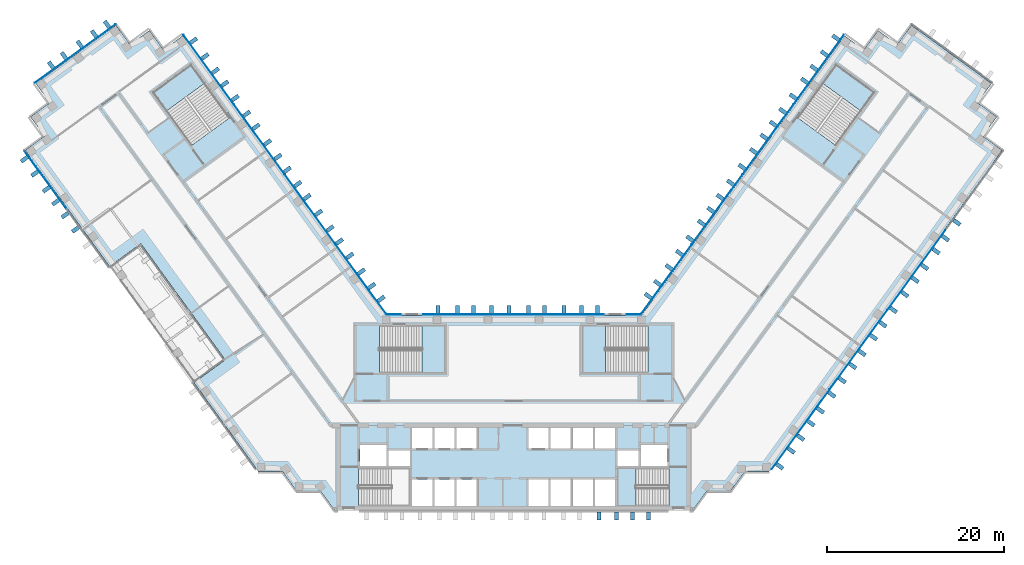
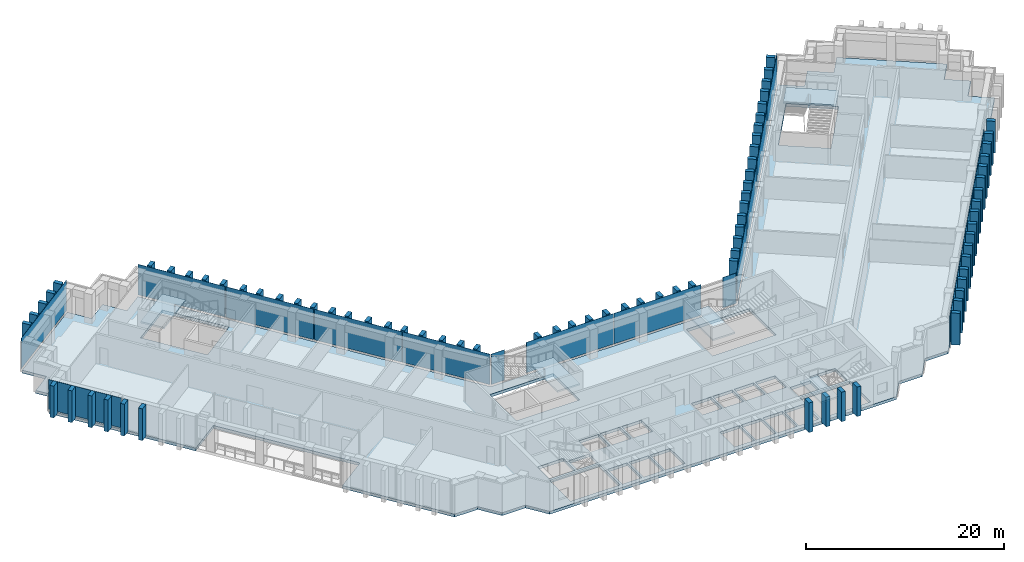
"""IFC4 building model written with IfcOpenShell, lengths in metres."""

from ifc_helpers import new_model, si_unit, direction, frame, origin, origin_2d, place, context, subcontext, project, spatial, polyline, rectangle, outline, extrude, material, layer, layer_set, type_object, element, aggregate, save


model = new_model("IFC4")

# Units and contexts
model_context = context("Model", 3, precision=1e-05, world=origin(), true_north=direction((0.0, 1.0)))
body_context = subcontext(model_context, "Body", "Model", "MODEL_VIEW")
ifc_project = project(units=[si_unit("LENGTHUNIT", "METRE"), si_unit("AREAUNIT", "SQUARE_METRE"), si_unit("VOLUMEUNIT", "CUBIC_METRE"), si_unit("PLANEANGLEUNIT", "RADIAN"), si_unit("MASSUNIT", "GRAM", prefix="KILO")], contexts=[model_context])

# Site, building, storey
site_placement = place(None, origin())
site = spatial("IfcSite", under=ifc_project, at=site_placement, CompositionType="ELEMENT")
building_placement = place(site_placement, origin())
building = spatial("IfcBuilding", under=site, at=building_placement, Name="Quipu Civic Tower", CompositionType="ELEMENT")
storey_1_placement = place(building_placement, frame((0.0, 0.0, 51.0)))
storey_1 = spatial("IfcBuildingStorey", under=building, at=storey_1_placement, Name="L11", CompositionType="ELEMENT", Elevation=51.0)

# Slab
ifc_material_1 = material(Name="Concrete C40/50", Category="concrete")
ifc_layer_1 = layer(ifc_material_1, 0.35009765625)
ifc_layer_set_1 = layer_set([ifc_layer_1], Name="Concrete C40/50")
slab_type_1 = type_object("IfcSlabType", Name="Floor slab 350 C40/50", PredefinedType="FLOOR", material=ifc_layer_set_1)
slab_1_placement = place(storey_1_placement, frame((0.0, 0.0, -0.35009765625)))
element("IfcSlab", 1, at=slab_1_placement, inside=storey_1, type_object=slab_type_1, Name="Floor slab L11", PredefinedType="FLOOR", context=body_context, shape_type="SweptSolid", body=[
    extrude(outline(polyline([(-54.514892578125, 33.389892578125), (-52.3349609375, 34.97509765625), (-53.919921875, 37.159912109375), (-44.860107421875, 43.739990234375), (-43.27001953125, 41.56005859375), (-41.0849609375, 43.14501953125), (-39.5, 40.9599609375), (-37.31494140625, 42.550048828125), (-14.39501953125, 11.0), (14.39501953125, 11.0), (37.31494140625, 42.550048828125), (39.5, 40.9599609375), (41.0849609375, 43.14501953125), (43.27001953125, 41.56005859375), (44.860107421875, 43.739990234375), (53.919921875, 37.159912109375), (52.3349609375, 34.97509765625), (54.514892578125, 33.389892578125), (52.929931640625, 31.205078125), (55.114990234375, 29.614990234375), (28.780029296875, -6.6298828125), (26.080078125, -6.6298828125), (24.489990234375, -8.81494140625), (21.7900390625, -8.81494140625), (20.205078125, -11.0), (-20.205078125, -11.0), (-21.7900390625, -8.81494140625), (-24.489990234375, -8.81494140625), (-26.080078125, -6.6298828125), (-28.780029296875, -6.6298828125), (-36.070068359375, 3.405029296875), (-32.534912109375, 5.97509765625), (-42.054931640625, 19.080078125), (-45.590087890625, 16.510009765625), (-55.114990234375, 29.614990234375), (-52.929931640625, 31.205078125), (-54.514892578125, 33.389892578125)]), holes=[polyline([(-11.449951171875, -7.5), (-11.449951171875, -10.5), (-9.14990234375, -10.5), (-9.14990234375, -7.5), (-11.449951171875, -7.5)]), polyline([(-6.64990234375, -7.5), (-8.949951171875, -7.5), (-8.949951171875, -10.5), (-6.64990234375, -10.5), (-6.64990234375, -7.5)]), polyline([(-4.14990234375, -7.5), (-6.449951171875, -7.5), (-6.449951171875, -10.5), (-4.14990234375, -10.5), (-4.14990234375, -7.5)]), polyline([(1.64990234375, -7.5), (1.64990234375, -10.5), (3.949951171875, -10.5), (3.949951171875, -7.5), (1.64990234375, -7.5)]), polyline([(-11.705078125, -10.4951171875), (-11.705078125, -6.2548828125), (-17.4951171875, -6.2548828125), (-17.4951171875, -10.4951171875), (-11.705078125, -10.4951171875)]), polyline([(-11.699951171875, -4.25), (-14.10009765625, -4.25), (-14.10009765625, -6.0), (-11.699951171875, -6.0), (-11.699951171875, -4.25)]), polyline([(-17.35009765625, -3.60009765625), (-17.35009765625, -6.0), (-14.35009765625, -6.0), (-14.35009765625, -3.60009765625), (-17.35009765625, -3.60009765625)]), polyline([(-9.14990234375, -1.699951171875), (-11.449951171875, -1.699951171875), (-11.449951171875, -4.0), (-9.14990234375, -4.0), (-9.14990234375, -1.699951171875)]), polyline([(-6.64990234375, -1.699951171875), (-8.949951171875, -1.699951171875), (-8.949951171875, -4.0), (-6.64990234375, -4.0), (-6.64990234375, -1.699951171875)]), polyline([(-6.449951171875, -1.699951171875), (-6.449951171875, -4.0), (-4.14990234375, -4.0), (-4.14990234375, -1.699951171875), (-6.449951171875, -1.699951171875)]), polyline([(-7.7548828125, 4.5048828125), (-7.7548828125, 9.844970703125), (-15.14501953125, 9.844970703125), (-15.14501953125, 4.5048828125), (-7.7548828125, 4.5048828125)]), polyline([(-36.364990234375, 39.27490234375), (-40.68505859375, 36.135009765625), (-36.344970703125, 30.159912109375), (-32.02490234375, 33.300048828125), (-36.364990234375, 39.27490234375)]), polyline([(4.14990234375, -7.5), (4.14990234375, -10.5), (6.449951171875, -10.5), (6.449951171875, -7.5), (4.14990234375, -7.5)]), polyline([(8.949951171875, -7.5), (6.64990234375, -7.5), (6.64990234375, -10.5), (8.949951171875, -10.5), (8.949951171875, -7.5)]), polyline([(11.449951171875, -7.5), (9.14990234375, -7.5), (9.14990234375, -10.5), (11.449951171875, -10.5), (11.449951171875, -7.5)]), polyline([(11.705078125, -10.4951171875), (17.4951171875, -10.4951171875), (17.4951171875, -6.2548828125), (11.705078125, -6.2548828125), (11.705078125, -10.4951171875)]), polyline([(14.10009765625, -4.25), (11.699951171875, -4.25), (11.699951171875, -6.0), (14.10009765625, -6.0), (14.10009765625, -4.25)]), polyline([(17.35009765625, -3.60009765625), (14.35009765625, -3.60009765625), (14.35009765625, -6.0), (17.35009765625, -6.0), (17.35009765625, -3.60009765625)]), polyline([(1.64990234375, -1.699951171875), (1.64990234375, -4.0), (3.949951171875, -4.0), (3.949951171875, -1.699951171875), (1.64990234375, -1.699951171875)]), polyline([(6.449951171875, -1.699951171875), (4.14990234375, -1.699951171875), (4.14990234375, -4.0), (6.449951171875, -4.0), (6.449951171875, -1.699951171875)]), polyline([(8.949951171875, -1.699951171875), (6.64990234375, -1.699951171875), (6.64990234375, -4.0), (8.949951171875, -4.0), (8.949951171875, -1.699951171875)]), polyline([(9.14990234375, -1.699951171875), (9.14990234375, -4.0), (11.449951171875, -4.0), (11.449951171875, -1.699951171875), (9.14990234375, -1.699951171875)]), polyline([(7.7548828125, 9.844970703125), (7.7548828125, 4.5048828125), (15.14501953125, 4.5048828125), (15.14501953125, 9.844970703125), (7.7548828125, 9.844970703125)]), polyline([(40.68505859375, 36.135009765625), (36.364990234375, 39.27490234375), (32.02490234375, 33.300048828125), (36.344970703125, 30.159912109375), (40.68505859375, 36.135009765625)])]), origin(), (0.0, 0.0, 1.0), 0.35009765625),
])

# Storey
storey_2_placement = place(building_placement, frame((0.0, 0.0, 47.0)))
storey_2 = spatial("IfcBuildingStorey", under=building, at=storey_2_placement, Name="L10", CompositionType="ELEMENT", Elevation=47.0)

# Curtain wall, plates
ifc_material_2 = material(Name="Insulated glass unit", Category="glass")
curtain_wall_type = type_object("IfcCurtainWallType", Name="Office curtain wall CW1", PredefinedType="NOTDEFINED", material=ifc_material_2)
curtain_wall_1_placement = place(storey_2_placement, origin())
curtain_wall_1 = element("IfcCurtainWall", 2, at=curtain_wall_1_placement, inside=storey_2, type_object=curtain_wall_type, Name="Office curtain wall CW1 L09 run 19", PredefinedType="NOTDEFINED")
ifc_material_3 = material(Name="Insulated glass unit", Category="glass")
ifc_layer_2 = layer(ifc_material_3, 0.028076171875)
ifc_layer_set_2 = layer_set([ifc_layer_2], Name="Insulated glass unit")
plate_type_1 = type_object("IfcPlateType", Name="Glass panel CW1", PredefinedType="CURTAIN_PANEL", material=ifc_layer_set_2)
plate_1_placement = place(storey_1_placement, frame((32.342529296875, -1.896484375, 0.16015625), z_axis=(0.0, 0.0, 1.0), x_axis=(0.587785559869, 0.809016770908, 0.0)))
plate_1 = element("IfcPlate", 3, at=plate_1_placement, inside=storey_1, type_object=plate_type_1, Name="CW1 panel 1.3", PredefinedType="CURTAIN_PANEL", context=body_context, shape_type="SweptSolid", body=[
    extrude(rectangle(XDim=11.022705078125, YDim=0.028076171875, at=origin_2d()), origin(), (0.0, 0.0, 1.0), 3.760009765625),
])
plate_2_placement = place(storey_1_placement, frame((38.880126953125, 7.101806640625, 0.16015625), z_axis=(0.0, 0.0, 1.0), x_axis=(0.587785559869, 0.809016770908, 0.0)))
plate_2 = element("IfcPlate", 4, at=plate_2_placement, inside=storey_1, type_object=plate_type_1, Name="CW1 panel 2.3", PredefinedType="CURTAIN_PANEL", context=body_context, shape_type="SweptSolid", body=[
    extrude(rectangle(XDim=11.062744140625, YDim=0.028076171875, at=origin_2d()), origin(), (0.0, 0.0, 1.0), 3.760009765625),
])
plate_3_placement = place(storey_1_placement, frame((45.4296875, 16.11669921875, 0.16015625), z_axis=(0.0, 0.0, 1.0), x_axis=(0.587785559869, 0.809016770908, 0.0)))
plate_3 = element("IfcPlate", 5, at=plate_3_placement, inside=storey_1, type_object=plate_type_1, Name="CW1 panel 3.3", PredefinedType="CURTAIN_PANEL", context=body_context, shape_type="SweptSolid", body=[
    extrude(rectangle(XDim=11.062744140625, YDim=0.028076171875, at=origin_2d()), origin(), (0.0, 0.0, 1.0), 3.760009765625),
])
aggregate(curtain_wall_1, [plate_1, plate_2, plate_3])

curtain_wall_2_placement = place(storey_2_placement, origin())
curtain_wall_2 = element("IfcCurtainWall", 6, at=curtain_wall_2_placement, inside=storey_2, type_object=curtain_wall_type, Name="Office curtain wall CW1 L09 run 29", PredefinedType="NOTDEFINED")
plate_4_placement = place(storey_1_placement, frame((34.413330078125, 38.722900390625, 0.16015625), z_axis=(0.0, 0.0, 1.0), x_axis=(-0.587785887566, -0.809016532822, 0.0)))
plate_4 = element("IfcPlate", 7, at=plate_4_placement, inside=storey_1, type_object=plate_type_1, Name="CW1 panel 1.3", PredefinedType="CURTAIN_PANEL", context=body_context, shape_type="SweptSolid", body=[
    extrude(rectangle(XDim=9.64111328125, YDim=0.028076171875, at=origin_2d()), origin(), (0.0, 0.0, 1.0), 3.760009765625),
])
plate_5_placement = place(storey_1_placement, frame((28.687744140625, 30.84228515625, 0.16015625), z_axis=(0.0, 0.0, 1.0), x_axis=(-0.587785887566, -0.809016532822, 0.0)))
plate_5 = element("IfcPlate", 8, at=plate_5_placement, inside=storey_1, type_object=plate_type_1, Name="CW1 panel 2.3", PredefinedType="CURTAIN_PANEL", context=body_context, shape_type="SweptSolid", body=[
    extrude(rectangle(XDim=9.68115234375, YDim=0.028076171875, at=origin_2d()), origin(), (0.0, 0.0, 1.0), 3.760009765625),
])
plate_6_placement = place(storey_1_placement, frame((22.950439453125, 22.9453125, 0.16015625), z_axis=(0.0, 0.0, 1.0), x_axis=(-0.587785887566, -0.809016532822, 0.0)))
plate_6 = element("IfcPlate", 9, at=plate_6_placement, inside=storey_1, type_object=plate_type_1, Name="CW1 panel 3.3", PredefinedType="CURTAIN_PANEL", context=body_context, shape_type="SweptSolid", body=[
    extrude(rectangle(XDim=9.68115234375, YDim=0.028076171875, at=origin_2d()), origin(), (0.0, 0.0, 1.0), 3.760009765625),
])
plate_7_placement = place(storey_1_placement, frame((17.224609375, 15.064697265625, 0.16015625), z_axis=(0.0, 0.0, 1.0), x_axis=(-0.587785887566, -0.809016532822, 0.0)))
plate_7 = element("IfcPlate", 10, at=plate_7_placement, inside=storey_1, type_object=plate_type_1, Name="CW1 panel 4.3", PredefinedType="CURTAIN_PANEL", context=body_context, shape_type="SweptSolid", body=[
    extrude(rectangle(XDim=9.64111328125, YDim=0.028076171875, at=origin_2d()), origin(), (0.0, 0.0, 1.0), 3.760009765625),
])
aggregate(curtain_wall_2, [plate_4, plate_5, plate_6, plate_7])

# Curtain wall, plate
curtain_wall_3_placement = place(storey_2_placement, origin())
curtain_wall_3 = element("IfcCurtainWall", 11, at=curtain_wall_3_placement, inside=storey_2, type_object=curtain_wall_type, Name="Office curtain wall CW1 L09 run 30", PredefinedType="NOTDEFINED")
plate_8_placement = place(storey_1_placement, frame((13.49951171875, 11.10009765625, 0.16015625), z_axis=(0.0, 0.0, 1.0), x_axis=(-1.0, 0.0, 0.0)))
plate_8 = element("IfcPlate", 12, at=plate_8_placement, inside=storey_1, type_object=plate_type_1, Name="CW1 panel 1.3", PredefinedType="CURTAIN_PANEL", context=body_context, shape_type="SweptSolid", body=[
    extrude(rectangle(XDim=1.529296875, YDim=0.028076171875, at=origin_2d()), origin(), (0.0, 0.0, 1.0), 3.760009765625),
])
aggregate(curtain_wall_3, [plate_8])

# Curtain wall, plates
curtain_wall_4_placement = place(storey_2_placement, origin())
curtain_wall_4 = element("IfcCurtainWall", 13, at=curtain_wall_4_placement, inside=storey_2, type_object=curtain_wall_type, Name="Office curtain wall CW1 L09 run 32", PredefinedType="NOTDEFINED")
plate_9_placement = place(storey_1_placement, frame((5.11181640625, 11.10009765625, 0.16015625), z_axis=(0.0, 0.0, 1.0), x_axis=(-1.0, 0.0, 0.0)))
plate_9 = element("IfcPlate", 14, at=plate_9_placement, inside=storey_1, type_object=plate_type_1, Name="CW1 panel 1.3", PredefinedType="CURTAIN_PANEL", context=body_context, shape_type="SweptSolid", body=[
    extrude(rectangle(XDim=10.1435546875, YDim=0.028076171875, at=origin_2d()), origin(), (0.0, 0.0, 1.0), 3.760009765625),
])
plate_10_placement = place(storey_1_placement, frame((-5.11181640625, 11.10009765625, 0.16015625), z_axis=(0.0, 0.0, 1.0), x_axis=(-1.0, 0.0, 0.0)))
plate_10 = element("IfcPlate", 15, at=plate_10_placement, inside=storey_1, type_object=plate_type_1, Name="CW1 panel 2.3", PredefinedType="CURTAIN_PANEL", context=body_context, shape_type="SweptSolid", body=[
    extrude(rectangle(XDim=10.1435546875, YDim=0.028076171875, at=origin_2d()), origin(), (0.0, 0.0, 1.0), 3.760009765625),
])
aggregate(curtain_wall_4, [plate_9, plate_10])

# Curtain wall, plate
curtain_wall_5_placement = place(storey_2_placement, origin())
curtain_wall_5 = element("IfcCurtainWall", 16, at=curtain_wall_5_placement, inside=storey_2, type_object=curtain_wall_type, Name="Office curtain wall CW1 L09 run 34", PredefinedType="NOTDEFINED")
plate_11_placement = place(storey_1_placement, frame((-13.49951171875, 11.10009765625, 0.16015625), z_axis=(0.0, 0.0, 1.0), x_axis=(-1.0, 0.0, 0.0)))
plate_11 = element("IfcPlate", 17, at=plate_11_placement, inside=storey_1, type_object=plate_type_1, Name="CW1 panel 1.3", PredefinedType="CURTAIN_PANEL", context=body_context, shape_type="SweptSolid", body=[
    extrude(rectangle(XDim=1.529296875, YDim=0.028076171875, at=origin_2d()), origin(), (0.0, 0.0, 1.0), 3.760009765625),
])
aggregate(curtain_wall_5, [plate_11])

# Curtain wall, plates
curtain_wall_6_placement = place(storey_2_placement, origin())
curtain_wall_6 = element("IfcCurtainWall", 18, at=curtain_wall_6_placement, inside=storey_2, type_object=curtain_wall_type, Name="Office curtain wall CW1 L09 run 35", PredefinedType="NOTDEFINED")
plate_12_placement = place(storey_1_placement, frame((-17.224609375, 15.064697265625, 0.16015625), z_axis=(0.0, 0.0, 1.0), x_axis=(-0.587785887566, 0.809016532822, 0.0)))
plate_12 = element("IfcPlate", 19, at=plate_12_placement, inside=storey_1, type_object=plate_type_1, Name="CW1 panel 1.3", PredefinedType="CURTAIN_PANEL", context=body_context, shape_type="SweptSolid", body=[
    extrude(rectangle(XDim=9.64111328125, YDim=0.028076171875, at=origin_2d()), origin(), (0.0, 0.0, 1.0), 3.760009765625),
])
plate_13_placement = place(storey_1_placement, frame((-22.950439453125, 22.9453125, 0.16015625), z_axis=(0.0, 0.0, 1.0), x_axis=(-0.587785887566, 0.809016532822, 0.0)))
plate_13 = element("IfcPlate", 20, at=plate_13_placement, inside=storey_1, type_object=plate_type_1, Name="CW1 panel 2.3", PredefinedType="CURTAIN_PANEL", context=body_context, shape_type="SweptSolid", body=[
    extrude(rectangle(XDim=9.68115234375, YDim=0.028076171875, at=origin_2d()), origin(), (0.0, 0.0, 1.0), 3.760009765625),
])
plate_14_placement = place(storey_1_placement, frame((-28.687744140625, 30.84228515625, 0.16015625), z_axis=(0.0, 0.0, 1.0), x_axis=(-0.587785887566, 0.809016532822, 0.0)))
plate_14 = element("IfcPlate", 21, at=plate_14_placement, inside=storey_1, type_object=plate_type_1, Name="CW1 panel 3.3", PredefinedType="CURTAIN_PANEL", context=body_context, shape_type="SweptSolid", body=[
    extrude(rectangle(XDim=9.68115234375, YDim=0.028076171875, at=origin_2d()), origin(), (0.0, 0.0, 1.0), 3.760009765625),
])
plate_15_placement = place(storey_1_placement, frame((-34.413330078125, 38.722900390625, 0.16015625), z_axis=(0.0, 0.0, 1.0), x_axis=(-0.587785887566, 0.809016532822, 0.0)))
plate_15 = element("IfcPlate", 22, at=plate_15_placement, inside=storey_1, type_object=plate_type_1, Name="CW1 panel 4.3", PredefinedType="CURTAIN_PANEL", context=body_context, shape_type="SweptSolid", body=[
    extrude(rectangle(XDim=9.64111328125, YDim=0.028076171875, at=origin_2d()), origin(), (0.0, 0.0, 1.0), 3.760009765625),
])
aggregate(curtain_wall_6, [plate_12, plate_13, plate_14, plate_15])

# Curtain wall, plate
curtain_wall_7_placement = place(storey_2_placement, origin())
curtain_wall_7 = element("IfcCurtainWall", 23, at=curtain_wall_7_placement, inside=storey_2, type_object=curtain_wall_type, Name="Office curtain wall CW1 L09 run 40", PredefinedType="NOTDEFINED")
plate_16_placement = place(storey_1_placement, frame((-49.447998046875, 40.53173828125, 0.16015625), z_axis=(0.0, 0.0, 1.0), x_axis=(-0.809019348124, -0.587782012621, 0.0)))
plate_16 = element("IfcPlate", 24, at=plate_16_placement, inside=storey_1, type_object=plate_type_1, Name="CW1 panel 1.3", PredefinedType="CURTAIN_PANEL", context=body_context, shape_type="SweptSolid", body=[
    extrude(rectangle(XDim=11.239990234375, YDim=0.028076171875, at=origin_2d()), origin(), (0.0, 0.0, 1.0), 3.760009765625),
])
aggregate(curtain_wall_7, [plate_16])

curtain_wall_8_placement = place(storey_1_placement, origin())
curtain_wall_8 = element("IfcCurtainWall", 25, at=curtain_wall_8_placement, inside=storey_1, type_object=curtain_wall_type, Name="Office curtain wall CW1 L11 run 1", PredefinedType="NOTDEFINED")
plate_17_placement = place(storey_1_placement, frame((-52.83251953125, 26.305419921875, 0.240234375), z_axis=(0.0, 0.0, 1.0), x_axis=(0.587785507413, -0.809016809019, 0.0)))
plate_17 = element("IfcPlate", 26, at=plate_17_placement, type_object=plate_type_1, Name="CW1 panel 1.1", PredefinedType="CURTAIN_PANEL", context=body_context, shape_type="SweptSolid", body=[
    extrude(rectangle(XDim=8.080078125, YDim=0.028076171875, at=origin_2d()), origin(), (0.0, 0.0, 1.0), 3.679931640625),
])
aggregate(curtain_wall_8, [plate_17])

# Plates
ifc_material_4 = material(Name="Precast concrete C40/50", Category="concrete")
plate_type_2 = type_object("IfcPlateType", Name="Precast fin F1", PredefinedType="SHEET", material=ifc_material_4)
for number, where, z_axis, x_axis, name in (
    (27, (9.625, -11.637939453125, 0.0), (0.0, 0.0, 1.0), (1.0, 0.0, 0.0), "Precast fin F1 L11.P07.14"),
    (28, (11.625, -11.637939453125, 0.0), (0.0, 0.0, 1.0), (1.0, 0.0, 0.0), "Precast fin F1 L11.P07.15"),
    (29, (13.425048828125, -11.637939453125, 0.0), (0.0, 0.0, 1.0), (1.0, 0.0, 0.0), "Precast fin F1 L11.P07.16"),
    (30, (15.22509765625, -11.637939453125, 0.0), (0.0, 0.0, 1.0), (1.0, 0.0, 0.0), "Precast fin F1 L11.P07.17"),
):
    element("IfcPlate", number, at=place(storey_1_placement, frame(where, z_axis=z_axis, x_axis=x_axis)), inside=storey_1, type_object=plate_type_2, Name=name, PredefinedType="SHEET", context=body_context, shape_type="SweptSolid", body=[
        extrude(rectangle(XDim=0.449951171875, YDim=0.89990234375, at=origin_2d()), origin(), (0.0, 0.0, 1.0), 3.64990234375),
    ])
for number, where, z_axis, x_axis, name in (
    (31, (30.014892578125, -6.03564453125, 0.080078125), (0.0, 0.0, 1.0), (0.587785716149, 0.809016657363, 0.0), "Precast fin F1 L11.P13.1"),
    (32, (31.30810546875, -4.255859375, 0.080078125), (0.0, 0.0, 1.0), (0.587785716149, 0.809016657363, 0.0), "Precast fin F1 L11.P13.2"),
    (33, (32.365966796875, -2.7998046875, 0.080078125), (0.0, 0.0, 1.0), (0.587785716149, 0.809016657363, 0.0), "Precast fin F1 L11.P13.3"),
    (34, (33.541748046875, -1.181640625, 0.080078125), (0.0, 0.0, 1.0), (0.587785716149, 0.809016657363, 0.0), "Precast fin F1 L11.P13.4"),
    (35, (34.599609375, 0.274658203125, 0.080078125), (0.0, 0.0, 1.0), (0.587785716149, 0.809016657363, 0.0), "Precast fin F1 L11.P13.5"),
    (36, (35.892822265625, 2.054443359375, 0.080078125), (0.0, 0.0, 1.0), (0.587785716149, 0.809016657363, 0.0), "Precast fin F1 L11.P13.6"),
    (37, (37.068359375, 3.67236328125, 0.080078125), (0.0, 0.0, 1.0), (0.587785716149, 0.809016657363, 0.0), "Precast fin F1 L11.P13.7"),
    (38, (38.243896484375, 5.29052734375, 0.080078125), (0.0, 0.0, 1.0), (0.587785716149, 0.809016657363, 0.0), "Precast fin F1 L11.P13.8"),
    (39, (39.302001953125, 6.74658203125, 0.080078125), (0.0, 0.0, 1.0), (0.587785716149, 0.809016657363, 0.0), "Precast fin F1 L11.P13.9"),
    (40, (40.594970703125, 8.526611328125, 0.080078125), (0.0, 0.0, 1.0), (0.587785716149, 0.809016657363, 0.0), "Precast fin F1 L11.P13.10"),
    (41, (41.653076171875, 9.982666015625, 0.080078125), (0.0, 0.0, 1.0), (0.587785716149, 0.809016657363, 0.0), "Precast fin F1 L11.P13.11"),
    (42, (42.82861328125, 11.600830078125, 0.080078125), (0.0, 0.0, 1.0), (0.587785716149, 0.809016657363, 0.0), "Precast fin F1 L11.P13.12"),
    (43, (44.121826171875, 13.380615234375, 0.080078125), (0.0, 0.0, 1.0), (0.587785716149, 0.809016657363, 0.0), "Precast fin F1 L11.P13.13"),
    (44, (45.29736328125, 14.998779296875, 0.080078125), (0.0, 0.0, 1.0), (0.587785716149, 0.809016657363, 0.0), "Precast fin F1 L11.P13.14"),
    (45, (46.35546875, 16.454833984375, 0.080078125), (0.0, 0.0, 1.0), (0.587785716149, 0.809016657363, 0.0), "Precast fin F1 L11.P13.15"),
    (46, (47.6484375, 18.234619140625, 0.080078125), (0.0, 0.0, 1.0), (0.587785716149, 0.809016657363, 0.0), "Precast fin F1 L11.P13.16"),
    (47, (48.70654296875, 19.69091796875, 0.080078125), (0.0, 0.0, 1.0), (0.587785716149, 0.809016657363, 0.0), "Precast fin F1 L11.P13.17"),
    (48, (49.999755859375, 21.470703125, 0.080078125), (0.0, 0.0, 1.0), (0.587785716149, 0.809016657363, 0.0), "Precast fin F1 L11.P13.18"),
    (49, (36.334716796875, 42.302978515625, 0.080078125), (0.0, 0.0, 1.0), (-0.587784944053, -0.809017218324, 0.0), "Precast fin F1 L11.P23.1"),
    (50, (35.04150390625, 40.52294921875, 0.080078125), (0.0, 0.0, 1.0), (-0.587784944053, -0.809017218324, 0.0), "Precast fin F1 L11.P23.2"),
    (51, (33.865966796875, 38.905029296875, 0.080078125), (0.0, 0.0, 1.0), (-0.587784944053, -0.809017218324, 0.0), "Precast fin F1 L11.P23.3"),
    (52, (32.807861328125, 37.44873046875, 0.080078125), (0.0, 0.0, 1.0), (-0.587784944053, -0.809017218324, 0.0), "Precast fin F1 L11.P23.4"),
    (53, (31.5146484375, 35.6689453125, 0.080078125), (0.0, 0.0, 1.0), (-0.587784944053, -0.809017218324, 0.0), "Precast fin F1 L11.P23.5"),
    (54, (30.339111328125, 34.05078125, 0.080078125), (0.0, 0.0, 1.0), (-0.587784944053, -0.809017218324, 0.0), "Precast fin F1 L11.P23.6"),
    (55, (29.28125, 32.5947265625, 0.080078125), (0.0, 0.0, 1.0), (-0.587784944053, -0.809017218324, 0.0), "Precast fin F1 L11.P23.7"),
    (56, (28.22314453125, 31.138427734375, 0.080078125), (0.0, 0.0, 1.0), (-0.587784944053, -0.809017218324, 0.0), "Precast fin F1 L11.P23.8"),
    (57, (27.047607421875, 29.5205078125, 0.080078125), (0.0, 0.0, 1.0), (-0.587784944053, -0.809017218324, 0.0), "Precast fin F1 L11.P23.9"),
    (58, (25.75439453125, 27.740478515625, 0.080078125), (0.0, 0.0, 1.0), (-0.587784944053, -0.809017218324, 0.0), "Precast fin F1 L11.P23.10"),
    (59, (24.46142578125, 25.960693359375, 0.080078125), (0.0, 0.0, 1.0), (-0.587784944053, -0.809017218324, 0.0), "Precast fin F1 L11.P23.11"),
    (60, (23.285888671875, 24.3427734375, 0.080078125), (0.0, 0.0, 1.0), (-0.587784944053, -0.809017218324, 0.0), "Precast fin F1 L11.P23.12"),
    (61, (22.227783203125, 22.886474609375, 0.080078125), (0.0, 0.0, 1.0), (-0.587784944053, -0.809017218324, 0.0), "Precast fin F1 L11.P23.13"),
    (62, (21.169677734375, 21.43017578125, 0.080078125), (0.0, 0.0, 1.0), (-0.587784944053, -0.809017218324, 0.0), "Precast fin F1 L11.P23.14"),
    (63, (19.876708984375, 19.650390625, 0.080078125), (0.0, 0.0, 1.0), (-0.587784944053, -0.809017218324, 0.0), "Precast fin F1 L11.P23.15"),
    (64, (18.701171875, 18.032470703125, 0.080078125), (0.0, 0.0, 1.0), (-0.587784944053, -0.809017218324, 0.0), "Precast fin F1 L11.P23.16"),
    (65, (17.525390625, 16.414306640625, 0.080078125), (0.0, 0.0, 1.0), (-0.587784944053, -0.809017218324, 0.0), "Precast fin F1 L11.P23.17"),
    (66, (16.232421875, 14.634521484375, 0.080078125), (0.0, 0.0, 1.0), (-0.587784944053, -0.809017218324, 0.0), "Precast fin F1 L11.P23.18"),
    (67, (15.17431640625, 13.17822265625, 0.080078125), (0.0, 0.0, 1.0), (-0.587784944053, -0.809017218324, 0.0), "Precast fin F1 L11.P23.19"),
    (68, (9.47509765625, 11.64990234375, 0.080078125), (0.0, 0.0, 1.0), (-1.0, 0.0, 0.0), "Precast fin F1 L11.P26.1"),
    (69, (7.675048828125, 11.64990234375, 0.080078125), (0.0, 0.0, 1.0), (-1.0, 0.0, 0.0), "Precast fin F1 L11.P26.2"),
    (70, (5.675048828125, 11.64990234375, 0.080078125), (0.0, 0.0, 1.0), (-1.0, 0.0, 0.0), "Precast fin F1 L11.P26.3"),
    (71, (3.47509765625, 11.64990234375, 0.080078125), (0.0, 0.0, 1.0), (-1.0, 0.0, 0.0), "Precast fin F1 L11.P26.4"),
    (72, (1.675048828125, 11.64990234375, 0.080078125), (0.0, 0.0, 1.0), (-1.0, 0.0, 0.0), "Precast fin F1 L11.P26.5"),
    (73, (-0.52490234375, 11.64990234375, 0.080078125), (0.0, 0.0, 1.0), (-1.0, 0.0, 0.0), "Precast fin F1 L11.P26.6"),
    (74, (-2.52490234375, 11.64990234375, 0.080078125), (0.0, 0.0, 1.0), (-1.0, 0.0, 0.0), "Precast fin F1 L11.P26.7"),
    (75, (-4.52490234375, 11.64990234375, 0.080078125), (0.0, 0.0, 1.0), (-1.0, 0.0, 0.0), "Precast fin F1 L11.P26.8"),
    (76, (-6.324951171875, 11.64990234375, 0.080078125), (0.0, 0.0, 1.0), (-1.0, 0.0, 0.0), "Precast fin F1 L11.P26.9"),
    (77, (-8.52490234375, 11.64990234375, 0.080078125), (0.0, 0.0, 1.0), (-1.0, 0.0, 0.0), "Precast fin F1 L11.P26.10"),
    (78, (-14.942138671875, 12.8583984375, 0.080078125), (0.0, 0.0, 1.0), (-0.587784944053, 0.809017218324, 0.0), "Precast fin F1 L11.P29.1"),
    (79, (-16.0, 14.314697265625, 0.080078125), (0.0, 0.0, 1.0), (-0.587784944053, 0.809017218324, 0.0), "Precast fin F1 L11.P29.2"),
    (80, (-17.175537109375, 15.932861328125, 0.080078125), (0.0, 0.0, 1.0), (-0.587784944053, 0.809017218324, 0.0), "Precast fin F1 L11.P29.3"),
    (81, (-18.46875, 17.712646484375, 0.080078125), (0.0, 0.0, 1.0), (-0.587784944053, 0.809017218324, 0.0), "Precast fin F1 L11.P29.4"),
    (82, (-19.644287109375, 19.33056640625, 0.080078125), (0.0, 0.0, 1.0), (-0.587784944053, 0.809017218324, 0.0), "Precast fin F1 L11.P29.5"),
    (83, (-20.702392578125, 20.786865234375, 0.080078125), (0.0, 0.0, 1.0), (-0.587784944053, 0.809017218324, 0.0), "Precast fin F1 L11.P29.6"),
    (84, (-21.995361328125, 22.566650390625, 0.080078125), (0.0, 0.0, 1.0), (-0.587784944053, 0.809017218324, 0.0), "Precast fin F1 L11.P29.7"),
    (85, (-23.28857421875, 24.3466796875, 0.080078125), (0.0, 0.0, 1.0), (-0.587784944053, 0.809017218324, 0.0), "Precast fin F1 L11.P29.8"),
    (86, (-24.3466796875, 25.802734375, 0.080078125), (0.0, 0.0, 1.0), (-0.587784944053, 0.809017218324, 0.0), "Precast fin F1 L11.P29.9"),
    (87, (-25.522216796875, 27.4208984375, 0.080078125), (0.0, 0.0, 1.0), (-0.587784944053, 0.809017218324, 0.0), "Precast fin F1 L11.P29.10"),
    (88, (-26.580078125, 28.876953125, 0.080078125), (0.0, 0.0, 1.0), (-0.587784944053, 0.809017218324, 0.0), "Precast fin F1 L11.P29.11"),
    (89, (-27.755859375, 30.4951171875, 0.080078125), (0.0, 0.0, 1.0), (-0.587784944053, 0.809017218324, 0.0), "Precast fin F1 L11.P29.12"),
    (90, (-29.048828125, 32.27490234375, 0.080078125), (0.0, 0.0, 1.0), (-0.587784944053, 0.809017218324, 0.0), "Precast fin F1 L11.P29.13"),
    (91, (-30.10693359375, 33.731201171875, 0.080078125), (0.0, 0.0, 1.0), (-0.587784944053, 0.809017218324, 0.0), "Precast fin F1 L11.P29.14"),
    (92, (-31.400146484375, 35.510986328125, 0.080078125), (0.0, 0.0, 1.0), (-0.587784944053, 0.809017218324, 0.0), "Precast fin F1 L11.P29.15"),
    (93, (-32.57568359375, 37.129150390625, 0.080078125), (0.0, 0.0, 1.0), (-0.587784944053, 0.809017218324, 0.0), "Precast fin F1 L11.P29.16"),
    (94, (-33.633544921875, 38.585205078125, 0.080078125), (0.0, 0.0, 1.0), (-0.587784944053, 0.809017218324, 0.0), "Precast fin F1 L11.P29.17"),
    (95, (-34.80908203125, 40.203369140625, 0.080078125), (0.0, 0.0, 1.0), (-0.587784944053, 0.809017218324, 0.0), "Precast fin F1 L11.P29.18"),
    (96, (-36.102294921875, 41.983154296875, 0.080078125), (0.0, 0.0, 1.0), (-0.587784944053, 0.809017218324, 0.0), "Precast fin F1 L11.P29.19"),
    (97, (-45.867919921875, 43.812744140625, 0.080078125), (0.0, 0.0, 1.0), (-0.809021318545, -0.587779300537, 0.0), "Precast fin F1 L11.P34.1"),
    (98, (-47.323974609375, 42.754638671875, 0.080078125), (0.0, 0.0, 1.0), (-0.809021318545, -0.587779300537, 0.0), "Precast fin F1 L11.P34.2"),
    (99, (-48.942138671875, 41.5791015625, 0.080078125), (0.0, 0.0, 1.0), (-0.809021318545, -0.587779300537, 0.0), "Precast fin F1 L11.P34.3"),
    (100, (-50.721923828125, 40.2861328125, 0.080078125), (0.0, 0.0, 1.0), (-0.809021318545, -0.587779300537, 0.0), "Precast fin F1 L11.P34.4"),
    (101, (-52.17822265625, 39.22802734375, 0.080078125), (0.0, 0.0, 1.0), (-0.809021318545, -0.587779300537, 0.0), "Precast fin F1 L11.P34.5"),
    (102, (-55.184814453125, 28.607421875, 0.080078125), (0.0, 0.0, 1.0), (0.587783675566, -0.809018139931, 0.0), "Precast fin F1 L11.1.1"),
    (103, (-54.00927734375, 26.989501953125, 0.080078125), (0.0, 0.0, 1.0), (0.587783675566, -0.809018139931, 0.0), "Precast fin F1 L11.1.2"),
    (104, (-52.716064453125, 25.20947265625, 0.080078125), (0.0, 0.0, 1.0), (0.587783675566, -0.809018139931, 0.0), "Precast fin F1 L11.1.3"),
    (105, (-51.657958984375, 23.75341796875, 0.080078125), (0.0, 0.0, 1.0), (0.587783675566, -0.809018139931, 0.0), "Precast fin F1 L11.1.4"),
    (106, (-50.60009765625, 22.297119140625, 0.080078125), (0.0, 0.0, 1.0), (0.587783675566, -0.809018139931, 0.0), "Precast fin F1 L11.1.5"),
    (107, (-49.424560546875, 20.678955078125, 0.080078125), (0.0, 0.0, 1.0), (0.587783675566, -0.809018139931, 0.0), "Precast fin F1 L11.1.6"),
):
    element("IfcPlate", number, at=place(storey_1_placement, frame(where, z_axis=z_axis, x_axis=x_axis)), inside=storey_1, type_object=plate_type_2, Name=name, PredefinedType="SHEET", context=body_context, shape_type="SweptSolid", body=[
        extrude(rectangle(XDim=0.449951171875, YDim=0.89990234375, at=origin_2d()), origin(), (0.0, 0.0, 1.0), 3.919921875),
    ])

# Stair, slab
ifc_material_5 = material(Name="Concrete C40/50", Category="concrete")
stair_type_1 = type_object("IfcStairType", Name="Half turn stair 2000", PredefinedType="HALF_TURN_STAIR", material=ifc_material_5)
stair_1_placement = place(storey_1_placement, origin())
stair_1 = element("IfcStair", 108, at=stair_1_placement, inside=storey_1, type_object=stair_type_1, Name="Exit stair 2", PredefinedType="HALF_TURN_STAIR")
ifc_material_6 = material(Name="Concrete C40/50", Category="concrete")
ifc_layer_3 = layer(ifc_material_6, 0.199951171875)
ifc_layer_set_3 = layer_set([ifc_layer_3], Name="Concrete C40/50")
slab_type_2 = type_object("IfcSlabType", Name="Stair landing 200", PredefinedType="LANDING", material=ifc_layer_set_3)
slab_2_placement = place(storey_1_placement, frame((0.0, 0.0, 1.800048828125)))
slab_2 = element("IfcSlab", 109, at=slab_2_placement, type_object=slab_type_2, Name="ST-2 landing 1", PredefinedType="LANDING", context=body_context, shape_type="SweptSolid", body=[
    extrude(outline(polyline([(13.780029296875, -6.25), (11.699951171875, -6.25), (11.699951171875, -10.5), (13.780029296875, -10.5), (13.780029296875, -6.25)])), origin(), (0.0, 0.0, 1.0), 0.199951171875),
])
aggregate(stair_1, [slab_2])

ifc_material_7 = material(Name="Concrete C40/50", Category="concrete")
stair_type_2 = type_object("IfcStairType", Name="Half turn stair 2600", PredefinedType="HALF_TURN_STAIR", material=ifc_material_7)
stair_2_placement = place(storey_1_placement, origin())
stair_2 = element("IfcStair", 110, at=stair_2_placement, inside=storey_1, type_object=stair_type_2, Name="Exit stair 3", PredefinedType="HALF_TURN_STAIR")
slab_3_placement = place(storey_1_placement, frame((0.0, 0.0, 1.800048828125)))
slab_3 = element("IfcSlab", 111, at=slab_3_placement, type_object=slab_type_2, Name="ST-3 landing 1", PredefinedType="LANDING", context=body_context, shape_type="SweptSolid", body=[
    extrude(outline(polyline([(-10.35009765625, 4.5), (-7.75, 4.5), (-7.75, 9.85009765625), (-10.35009765625, 9.85009765625), (-10.35009765625, 4.5)])), origin(), (0.0, 0.0, 1.0), 0.199951171875),
])
aggregate(stair_2, [slab_3])

stair_3_placement = place(storey_1_placement, origin())
stair_3 = element("IfcStair", 112, at=stair_3_placement, inside=storey_1, type_object=stair_type_2, Name="Exit stair 4", PredefinedType="HALF_TURN_STAIR")
slab_4_placement = place(storey_1_placement, frame((0.0, 0.0, 1.800048828125)))
slab_4 = element("IfcSlab", 113, at=slab_4_placement, type_object=slab_type_2, Name="ST-4 landing 1", PredefinedType="LANDING", context=body_context, shape_type="SweptSolid", body=[
    extrude(outline(polyline([(10.35009765625, 9.85009765625), (7.75, 9.85009765625), (7.75, 4.5), (10.35009765625, 4.5), (10.35009765625, 9.85009765625)])), origin(), (0.0, 0.0, 1.0), 0.199951171875),
])
aggregate(stair_3, [slab_4])

stair_4_placement = place(storey_1_placement, origin())
stair_4 = element("IfcStair", 114, at=stair_4_placement, inside=storey_1, type_object=stair_type_2, Name="Exit stair 6", PredefinedType="HALF_TURN_STAIR")
slab_5_placement = place(storey_1_placement, frame((0.0, 0.0, 1.800048828125)))
slab_5 = element("IfcSlab", 115, at=slab_5_placement, type_object=slab_type_2, Name="ST-6 landing 1", PredefinedType="LANDING", context=body_context, shape_type="SweptSolid", body=[
    extrude(outline(polyline([(-34.837158203125, 37.179443359375), (-36.365478515625, 39.282958984375), (-40.69384765625, 36.138427734375), (-39.16552734375, 34.034912109375), (-34.837158203125, 37.179443359375)])), origin(), (0.0, 0.0, 1.0), 0.199951171875),
])
aggregate(stair_4, [slab_5])

stair_5_placement = place(storey_1_placement, origin())
stair_5 = element("IfcStair", 116, at=stair_5_placement, inside=storey_1, type_object=stair_type_2, Name="Exit stair 7", PredefinedType="HALF_TURN_STAIR")
slab_6_placement = place(storey_1_placement, frame((0.0, 0.0, 1.800048828125)))
slab_6 = element("IfcSlab", 117, at=slab_6_placement, type_object=slab_type_2, Name="ST-7 landing 1", PredefinedType="LANDING", context=body_context, shape_type="SweptSolid", body=[
    extrude(outline(polyline([(39.16552734375, 34.034912109375), (40.69384765625, 36.138427734375), (36.365478515625, 39.282958984375), (34.837158203125, 37.179443359375), (39.16552734375, 34.034912109375)])), origin(), (0.0, 0.0, 1.0), 0.199951171875),
])
aggregate(stair_5, [slab_6])

save(model, "model.ifc")
